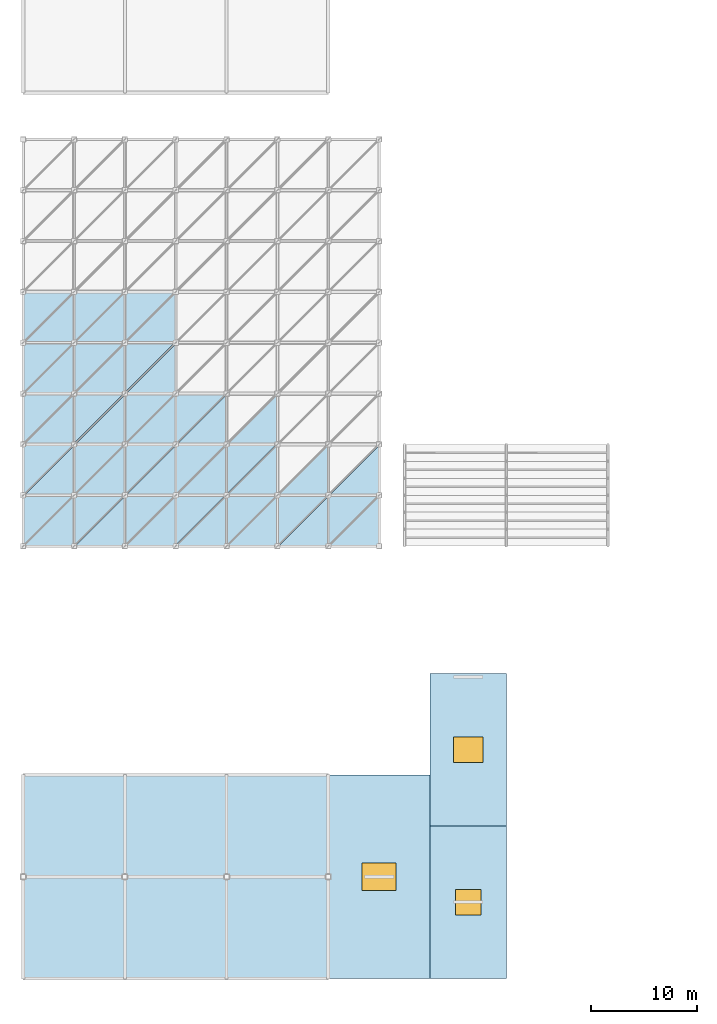
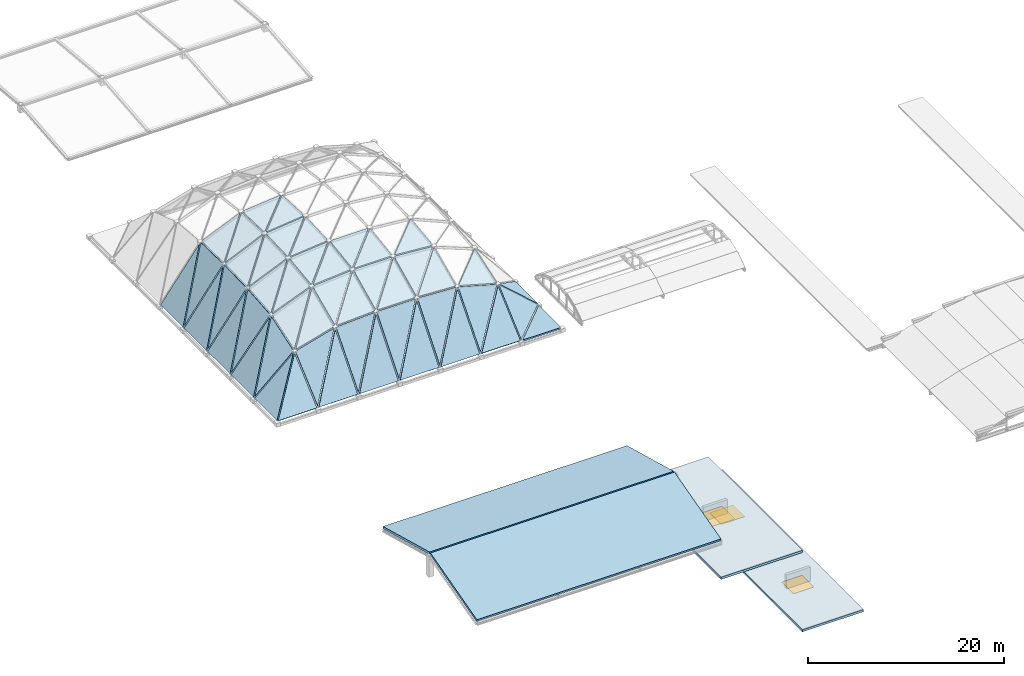
# One storey, part 30 of 70: 52 slabs, 3 windows, 3 openings.
"""IFC4 building model written with IfcOpenShell, lengths in metres."""

from ifc_helpers import new_model, si_unit, direction, frame, origin, origin_2d, place, context, subcontext, project, spatial, polyline, rectangle, outline, extrude, material, layer, layer_set, type_object, element, fill, save


model = new_model("IFC4")

# Units and contexts
model_context = context("Model", 3, precision=1e-05, world=origin(), true_north=direction((0.0, 1.0)))
body_context = subcontext(model_context, "Body", "Model", "MODEL_VIEW")
ifc_project = project(units=[si_unit("LENGTHUNIT", "METRE"), si_unit("AREAUNIT", "SQUARE_METRE"), si_unit("VOLUMEUNIT", "CUBIC_METRE"), si_unit("PLANEANGLEUNIT", "RADIAN"), si_unit("MASSUNIT", "GRAM", prefix="KILO")], contexts=[model_context])

# Site, building, storey
site_placement = place(None, origin())
site = spatial("IfcSite", under=ifc_project, at=site_placement, CompositionType="ELEMENT")
building_placement = place(site_placement, origin())
building = spatial("IfcBuilding", under=site, at=building_placement, Name="Mavantir Sound Aquarium", CompositionType="ELEMENT")
storey_placement = place(building_placement, frame((0.0, 0.0, 27.0)))
storey = spatial("IfcBuildingStorey", under=building, at=storey_placement, Name="RF", CompositionType="ELEMENT", Elevation=27.0)

# Slabs
ifc_material_1 = material(Name="Concrete C40/50", Category="concrete")
ifc_layer_1 = layer(ifc_material_1, 0.199951171875, Name="Concrete C40/50")
ifc_layer_set_1 = layer_set([ifc_layer_1], Name="Concrete C40/50")
slab_type_1 = type_object("IfcSlabType", Name="SLB-RF-GS", PredefinedType="ROOF", material=ifc_layer_set_1)
slab_1_placement = place(storey_placement, frame((0.149658203125, 40.856201171875, -6.920166015625), z_axis=(0.0, -0.663900537319, 0.747820885338), x_axis=(1.0, 0.0, 0.0)))
element("IfcSlab", 1, at=slab_1_placement, inside=storey, type_object=slab_type_1, Name="Gridshell insulated roof panel 1", PredefinedType="ROOF", context=body_context, shape_type="SweptSolid", body=[
    extrude(outline(polyline([(0.0, 0.0), (4.575439453125, 0.0), (4.575439453125, 6.118036286769588), (0.0, 0.0)])), origin(), (0.0, 0.0, -1.0), 0.199951171875),
])
slab_2_placement = place(storey_placement, frame((0.05615234375, 40.94970703125, -6.920166015625), z_axis=(-0.663900537319, 0.0, 0.747820885338), x_axis=(0.598882541436, 0.598882541436, 0.531676032117)))
element("IfcSlab", 2, at=slab_2_placement, inside=storey, type_object=slab_type_1, Name="Gridshell insulated roof panel 2", PredefinedType="ROOF", context=body_context, shape_type="SweptSolid", body=[
    extrude(outline(polyline([(0.0, 0.0), (7.639553661945924, 0.0), (2.7400045963143524, 3.6639851200159366), (0.0, 0.0)])), origin(), (0.0, 0.0, -1.0), 0.199951171875),
])
slab_3_placement = place(storey_placement, frame((0.174560546875, 45.672607421875, -6.79052734375), z_axis=(-0.643635260825, -0.245155637544, 0.725005078881), x_axis=(0.747825932855, 0.0, 0.663894851727)))
element("IfcSlab", 3, at=slab_3_placement, inside=storey, type_object=slab_type_1, Name="Gridshell insulated roof panel 3", PredefinedType="ROOF", context=body_context, shape_type="SweptSolid", body=[
    extrude(outline(polyline([(0.0, 0.0), (6.1085274442593445, -1.1102230246251565e-16), (7.134031039687761, 4.711904972870976), (0.0, 0.0)])), origin(), (0.0, 0.0, -1.0), 0.199951171875),
])
slab_4_placement = place(storey_placement, frame((0.04736328125, 45.736083984375, -6.911865234375), z_axis=(-0.774888427975, 0.0, 0.632098033687), x_axis=(0.534306616361, 0.534306616361, 0.655006014801)))
element("IfcSlab", 4, at=slab_4_placement, inside=storey, type_object=slab_type_1, Name="Gridshell insulated roof panel 4", PredefinedType="ROOF", context=body_context, shape_type="SweptSolid", body=[
    extrude(outline(polyline([(0.0, 0.0), (8.588452860178567, 4.440892098500626e-16), (2.451862099884232, 3.878926953123176), (0.0, 0.0)])), origin(), (0.0, 0.0, -1.0), 0.199951171875),
])
slab_5_placement = place(storey_placement, frame((0.166259765625, 50.474853515625, -6.759521484375), z_axis=(-0.773675453977, -0.055771289456, 0.63112269424), x_axis=(0.632106523544, 0.0, 0.774881502485)))
element("IfcSlab", 5, at=slab_5_placement, inside=storey, type_object=slab_type_1, Name="Gridshell insulated roof panel 5", PredefinedType="ROOF", context=body_context, shape_type="SweptSolid", body=[
    extrude(outline(polyline([(0.0, 0.0), (7.255393624022039, -2.7755575615628914e-17), (7.569432514189172, 4.593330836703523), (0.0, 0.0)])), origin(), (0.0, 0.0, -1.0), 0.199951171875),
])
slab_6_placement = place(storey_placement, frame((0.04541015625, 50.533203125, -6.910400390625), z_axis=(-0.795827682305, 0.0, 0.605523162296), x_axis=(0.517965446207, 0.517965446207, 0.680752225903)))
element("IfcSlab", 6, at=slab_6_placement, inside=storey, type_object=slab_type_1, Name="Gridshell insulated roof panel 6", PredefinedType="ROOF", context=body_context, shape_type="SweptSolid", body=[
    extrude(outline(polyline([(0.0, 0.0), (8.865064086085365, 0.0), (2.3783921172498035, 3.9278301233459367), (0.0, 0.0)])), origin(), (0.0, 0.0, -1.0), 0.199951171875),
])
slab_7_placement = place(storey_placement, frame((0.163330078125, 55.27490234375, -6.754150390625), z_axis=(-0.795773919611, -0.011139469818, 0.605491355082), x_axis=(0.60552892562, 0.0, 0.795823297119)))
element("IfcSlab", 7, at=slab_7_placement, inside=storey, type_object=slab_type_1, Name="Gridshell insulated roof panel 7", PredefinedType="ROOF", context=body_context, shape_type="SweptSolid", body=[
    extrude(outline(polyline([(0.0, 0.0), (7.58231093427856, 0.0), (7.649536242091846, 4.591837638700859), (0.0, 0.0)])), origin(), (0.0, 0.0, -1.0), 0.199951171875),
])
slab_8_placement = place(storey_placement, frame((0.044921875, 55.33251953125, -6.909912109375), z_axis=(-0.799846819927, 0.0, 0.600204185801), x_axis=(0.51462447912, 0.51462447912, 0.685801203688)))
element("IfcSlab", 8, at=slab_8_placement, inside=storey, type_object=slab_type_1, Name="Gridshell insulated roof panel 8", PredefinedType="ROOF", context=body_context, shape_type="SweptSolid", body=[
    extrude(outline(polyline([(0.0, 0.0), (8.924039728398977, 0.0), (2.363427997248404, 3.937706622448857), (0.0, 0.0)])), origin(), (0.0, 0.0, -1.0), 0.199951171875),
])
slab_9_placement = place(storey_placement, frame((0.161865234375, 60.074951171875, -6.755615234375), z_axis=(-0.799801940639, 0.011037911191, 0.600162494884), x_axis=(0.600199058769, 0.0, 0.79985066722)))
element("IfcSlab", 9, at=slab_9_placement, inside=storey, type_object=slab_type_1, Name="Gridshell insulated roof panel 9", PredefinedType="ROOF", context=body_context, shape_type="SweptSolid", body=[
    extrude(outline(polyline([(0.0, 0.0), (7.6524904713139845, 0.0), (7.584924960850579, 4.593297399953), (0.0, 0.0)])), origin(), (0.0, 0.0, -1.0), 0.199951171875),
])
slab_10_placement = place(storey_placement, frame((0.04541015625, 60.133056640625, -6.910400390625), z_axis=(-0.795827682305, 0.0, 0.605523162296), x_axis=(0.517958057609, 0.517985596851, 0.680742515209)))
element("IfcSlab", 10, at=slab_10_placement, inside=storey, type_object=slab_type_1, Name="Gridshell insulated roof panel 10", PredefinedType="ROOF", context=body_context, shape_type="SweptSolid", body=[
    extrude(outline(polyline([(0.0, 0.0), (8.865190544952945, 4.440892098500626e-16), (2.3786111062426367, 3.9279829294997537), (0.0, 0.0)])), origin(), (0.0, 0.0, -1.0), 0.199951171875),
])
slab_11_placement = place(storey_placement, frame((4.938232421875, 40.8486328125, -6.9130859375), z_axis=(0.0, -0.759881491264, 0.650061627259), x_axis=(1.0, 0.0, 0.0)))
element("IfcSlab", 11, at=slab_11_placement, inside=storey, type_object=slab_type_1, Name="Gridshell insulated roof panel 17", PredefinedType="ROOF", context=body_context, shape_type="SweptSolid", body=[
    extrude(outline(polyline([(0.0, 0.0), (4.586669921875, 0.0), (4.586669921875, 7.056121866230198), (0.0, 0.0)])), origin(), (0.0, 0.0, -1.0), 0.199951171875),
])
slab_12_placement = place(storey_placement, frame((4.873291015625, 40.97412109375, -6.794921875), z_axis=(-0.205798816167, -0.649691095726, 0.731811674817), x_axis=(0.545029961997, 0.54500083937, 0.637115708181)))
element("IfcSlab", 12, at=slab_12_placement, inside=storey, type_object=slab_type_1, Name="Gridshell insulated roof panel 18", PredefinedType="ROOF", context=body_context, shape_type="SweptSolid", body=[
    extrude(outline(polyline([(0.0, 0.0), (8.383193797516972, 2.220446049250313e-16), (5.074264180589916, 3.4027318094895325), (0.0, 0.0)])), origin(), (0.0, 0.0, -1.0), 0.199951171875),
])
slab_13_placement = place(storey_placement, frame((4.974365234375, 45.668701171875, -2.628662109375), z_axis=(-0.248304452806, -0.398241184065, 0.883033894045), x_axis=(0.962664813274, 0.0, 0.270696245419)))
element("IfcSlab", 13, at=slab_13_placement, inside=storey, type_object=slab_type_1, Name="Gridshell insulated roof panel 19", PredefinedType="ROOF", context=body_context, shape_type="SweptSolid", body=[
    extrude(outline(polyline([(0.0, 0.0), (4.729557425226053, 5.551115123125783e-17), (5.2854231772317215, 4.963826720283812), (0.0, 0.0)])), origin(), (0.0, 0.0, -1.0), 0.199951171875),
])
slab_14_placement = place(storey_placement, frame((4.870361328125, 45.7763671875, -2.62158203125), z_axis=(-0.349753253219, -0.300108092208, 0.887472700907), x_axis=(0.627924986775, 0.627924986775, 0.459804765055)))
element("IfcSlab", 14, at=slab_14_placement, inside=storey, type_object=slab_type_1, Name="Gridshell insulated roof panel 20", PredefinedType="ROOF", context=body_context, shape_type="SweptSolid", body=[
    extrude(outline(polyline([(0.0, 0.0), (7.249276663607153, 1.1102230246251565e-16), (3.5660962944559387, 3.220736551441869), (0.0, 0.0)])), origin(), (0.0, 0.0, -1.0), 0.199951171875),
])
slab_15_placement = place(storey_placement, frame((4.97900390625, 50.474609375, -1.005859375), z_axis=(-0.364192034676, -0.115266332783, 0.924163315873), x_axis=(0.930364546663, 0.0, 0.366635800643)))
element("IfcSlab", 15, at=slab_15_placement, inside=storey, type_object=slab_type_1, Name="Gridshell insulated roof panel 21", PredefinedType="ROOF", context=body_context, shape_type="SweptSolid", body=[
    extrude(outline(polyline([(0.0, 0.0), (4.891658228970367, 2.7755575615628914e-17), (5.099770591395843, 4.58156323852821), (0.0, 0.0)])), origin(), (0.0, 0.0, -1.0), 0.199951171875),
])
slab_16_placement = place(storey_placement, frame((4.868896484375, 50.572265625, -1.040771484375), z_axis=(-0.39406291251, -0.080854817105, 0.915520026834), x_axis=(0.663856070571, 0.663856070571, 0.344369329546)))
element("IfcSlab", 16, at=slab_16_placement, inside=storey, type_object=slab_type_1, Name="Gridshell insulated roof panel 22", PredefinedType="ROOF", context=body_context, shape_type="SweptSolid", body=[
    extrude(outline(polyline([(0.0, 0.0), (6.858381985885398, 3.885780586188048e-16), (3.160993199668316, 3.301426881100507), (0.0, 0.0)])), origin(), (0.0, 0.0, -1.0), 0.199951171875),
])
slab_17_placement = place(storey_placement, frame((4.9775390625, 55.27490234375, -0.582763671875), z_axis=(-0.395177796475, -0.030616269452, 0.918094305188), x_axis=(0.918524898508, 0.0, 0.395363137913)))
element("IfcSlab", 17, at=slab_17_placement, inside=storey, type_object=slab_type_1, Name="Gridshell insulated roof panel 23", PredefinedType="ROOF", context=body_context, shape_type="SweptSolid", body=[
    extrude(outline(polyline([(0.0, 0.0), (4.957368933897189, -6.938893903907228e-18), (5.0174069885315, 4.555846663101397), (0.0, 0.0)])), origin(), (0.0, 0.0, -1.0), 0.199951171875),
])
slab_18_placement = place(storey_placement, frame((4.868408203125, 55.370361328125, -0.6279296875), z_axis=(-0.406753391743, -0.016793020386, 0.913383639426), x_axis=(0.67190885314, 0.67190885314, 0.311571799341)))
element("IfcSlab", 18, at=slab_18_placement, inside=storey, type_object=slab_type_1, Name="Gridshell insulated roof panel 24", PredefinedType="ROOF", context=body_context, shape_type="SweptSolid", body=[
    extrude(outline(polyline([(0.0, 0.0), (6.778728213977783, -2.220446049250313e-16), (3.0864259500365216, 3.350547045551007), (0.0, 0.0)])), origin(), (0.0, 0.0, -1.0), 0.199951171875),
])
slab_19_placement = place(storey_placement, frame((4.975830078125, 60.074951171875, -0.49755859375), z_axis=(-0.406631822297, 0.030387287803, 0.913086619021), x_axis=(0.913508477473, 0.0, 0.406819691736)))
element("IfcSlab", 19, at=slab_19_placement, inside=storey, type_object=slab_type_1, Name="Gridshell insulated roof panel 25", PredefinedType="ROOF", context=body_context, shape_type="SweptSolid", body=[
    extrude(outline(polyline([(0.0, 0.0), (4.986997028315523, 0.0), (4.925318554543954, 4.557768841334873), (0.0, 0.0)])), origin(), (0.0, 0.0, -1.0), 0.199951171875),
])
slab_20_placement = place(storey_placement, frame((4.868896484375, 60.17041015625, -0.546875), z_axis=(-0.395300453174, 0.016885187477, 0.918396669291), x_axis=(0.678879248748, 0.678879248748, 0.279724741913)))
element("IfcSlab", 20, at=slab_20_placement, inside=storey, type_object=slab_type_1, Name="Gridshell insulated roof panel 26", PredefinedType="ROOF", context=body_context, shape_type="SweptSolid", body=[
    extrude(outline(polyline([(0.0, 0.0), (6.709127592865286, 1.1102230246251565e-16), (3.068658612834405, 3.366827136546612), (0.0, 0.0)])), origin(), (0.0, 0.0, -1.0), 0.199951171875),
])
slab_21_placement = place(storey_placement, frame((9.736328125, 40.847412109375, -6.911865234375), z_axis=(0.0, -0.773810134526, 0.633417615563), x_axis=(1.0, 0.0, 0.0)))
element("IfcSlab", 21, at=slab_21_placement, inside=storey, type_object=slab_type_1, Name="Gridshell insulated roof panel 33", PredefinedType="ROOF", context=body_context, shape_type="SweptSolid", body=[
    extrude(outline(polyline([(0.0, 0.0), (4.588623046875, 0.0), (4.588623046875, 7.244615676537677), (0.0, 0.0)])), origin(), (0.0, 0.0, -1.0), 0.199951171875),
])
slab_22_placement = place(storey_placement, frame((9.675048828125, 40.966064453125, -6.77197265625), z_axis=(-0.034280886967, -0.759437530243, 0.649676425959), x_axis=(0.535089695607, 0.535089695607, 0.653726269405)))
element("IfcSlab", 22, at=slab_22_placement, inside=storey, type_object=slab_type_1, Name="Gridshell insulated roof panel 34", PredefinedType="ROOF", context=body_context, shape_type="SweptSolid", body=[
    extrude(outline(polyline([(0.0, 0.0), (8.569040136204109, 0.0), (5.95737941692326, 3.776489174481292), (0.0, 0.0)])), origin(), (0.0, 0.0, -1.0), 0.199951171875),
])
slab_23_placement = place(storey_placement, frame((9.769775390625, 45.667724609375, -1.317626953125), z_axis=(-0.047554867311, -0.431541304456, 0.900838851928), x_axis=(0.998609537773, 0.0, 0.052716136701)))
element("IfcSlab", 23, at=slab_23_placement, inside=storey, type_object=slab_type_1, Name="Gridshell insulated roof panel 35", PredefinedType="ROOF", context=body_context, shape_type="SweptSolid", body=[
    extrude(outline(polyline([(0.0, 0.0), (4.561762880849117, 0.0), (4.676796286570488, 5.049562384716769), (0.0, 0.0)])), origin(), (0.0, 0.0, -1.0), 0.199951171875),
])
slab_24_placement = place(storey_placement, frame((9.6748046875, 45.77783203125, -1.272705078125), z_axis=(-0.073452801717, -0.410009932344, 0.90911855184), x_axis=(0.661859373, 0.661859373, 0.351972073814)))
element("IfcSlab", 24, at=slab_24_placement, inside=storey, type_object=slab_type_1, Name="Gridshell insulated roof panel 36", PredefinedType="ROOF", context=body_context, shape_type="SweptSolid", body=[
    extrude(outline(polyline([(0.0, 0.0), (6.880178967417313, -4.440892098500626e-16), (3.7367651636021306, 3.3152070869259136), (0.0, 0.0)])), origin(), (0.0, 0.0, -1.0), 0.199951171875),
])
slab_25_placement = place(storey_placement, frame((9.7802734375, 50.474365234375, 0.8310546875), z_axis=(-0.079739825991, -0.139597713985, 0.98699242064), x_axis=(0.996752319897, 0.0, 0.080528335256)))
element("IfcSlab", 25, at=slab_25_placement, inside=storey, type_object=slab_type_1, Name="Gridshell insulated roof panel 37", PredefinedType="ROOF", context=body_context, shape_type="SweptSolid", body=[
    extrude(outline(polyline([(0.0, 0.0), (4.559730420760614, 0.0), (4.611495827676887, 4.589864448726517), (0.0, 0.0)])), origin(), (0.0, 0.0, -1.0), 0.199951171875),
])
slab_26_placement = place(storey_placement, frame((9.674560546875, 50.580810546875, 0.835693359375), z_axis=(-0.096350582351, -0.123150724146, 0.987699582071), x_axis=(0.698553330841, 0.698515806489, 0.155238242893)))
element("IfcSlab", 26, at=slab_26_placement, inside=storey, type_object=slab_type_1, Name="Gridshell insulated roof panel 38", PredefinedType="ROOF", context=body_context, shape_type="SweptSolid", body=[
    extrude(outline(polyline([(0.0, 0.0), (6.506191688371567, 1.0408340855860843e-17), (3.262495043834638, 3.2142362177465693), (0.0, 0.0)])), origin(), (0.0, 0.0, -1.0), 0.199951171875),
])
slab_27_placement = place(storey_placement, frame((9.781005859375, 55.27490234375, 1.425537109375), z_axis=(-0.096994110165, -0.04668108606, 0.994189629194), x_axis=(0.995274633926, 0.0, 0.097099964285)))
element("IfcSlab", 27, at=slab_27_placement, inside=storey, type_object=slab_type_1, Name="Gridshell insulated roof panel 39", PredefinedType="ROOF", context=body_context, shape_type="SweptSolid", body=[
    extrude(outline(polyline([(0.0, 0.0), (4.5660096608969125, 3.469446951953614e-18), (4.58672874507305, 4.54939314251768), (0.0, 0.0)])), origin(), (0.0, 0.0, -1.0), 0.199951171875),
])
slab_28_placement = place(storey_placement, frame((9.674560546875, 55.38037109375, 1.418701171875), z_axis=(-0.110458923214, -0.033084315166, 0.993329881949), x_axis=(0.703443934374, 0.703443934374, 0.101652655572)))
element("IfcSlab", 28, at=slab_28_placement, inside=storey, type_object=slab_type_1, Name="Gridshell insulated roof panel 40", PredefinedType="ROOF", context=body_context, shape_type="SweptSolid", body=[
    extrude(outline(polyline([(0.0, 0.0), (6.460611162166237, -7.424616477180734e-16), (3.212312862506595, 3.218393047492837), (0.0, 0.0)])), origin(), (0.0, 0.0, -1.0), 0.199951171875),
])
slab_29_placement = place(storey_placement, frame((9.7802734375, 60.074951171875, 1.580810546875), z_axis=(-0.11038760353, 0.046608099268, 0.992795176292), x_axis=(0.993875268222, 0.0, 0.110507697546)))
element("IfcSlab", 29, at=slab_29_placement, inside=storey, type_object=slab_type_1, Name="Gridshell insulated roof panel 41", PredefinedType="ROOF", context=body_context, shape_type="SweptSolid", body=[
    extrude(outline(polyline([(0.0, 0.0), (4.573175488868814, 3.469446951953614e-18), (4.549595477234181, 4.550110839339653), (0.0, 0.0)])), origin(), (0.0, 0.0, -1.0), 0.199951171875),
])
slab_30_placement = place(storey_placement, frame((9.674560546875, 60.18017578125, 1.565673828125), z_axis=(-0.097089094775, 0.033182348847, 0.994722393133), x_axis=(0.706378258544, 0.706378258544, 0.045381843426)))
element("IfcSlab", 30, at=slab_30_placement, inside=storey, type_object=slab_type_1, Name="Gridshell insulated roof panel 42", PredefinedType="ROOF", context=body_context, shape_type="SweptSolid", body=[
    extrude(outline(polyline([(0.0, 0.0), (6.434119142296642, 1.5959455978986625e-16), (3.203553597726371, 3.2274673028806613), (0.0, 0.0)])), origin(), (0.0, 0.0, -1.0), 0.199951171875),
])
slab_31_placement = place(storey_placement, frame((14.536376953125, 40.847412109375, -6.911865234375), z_axis=(0.0, -0.773810134526, 0.633417615563), x_axis=(1.0, 0.0, 0.0)))
element("IfcSlab", 31, at=slab_31_placement, inside=storey, type_object=slab_type_1, Name="Gridshell insulated roof panel 49", PredefinedType="ROOF", context=body_context, shape_type="SweptSolid", body=[
    extrude(outline(polyline([(0.0, 0.0), (4.588623046875, 0.0), (4.588623046875, 7.244615676537677), (0.0, 0.0)])), origin(), (0.0, 0.0, -1.0), 0.199951171875),
])
slab_32_placement = place(storey_placement, frame((14.47509765625, 40.9638671875, -6.77001953125), z_axis=(0.0, -0.773840172082, 0.63338091862), x_axis=(0.535080772457, 0.535080772457, 0.653740876719)))
element("IfcSlab", 32, at=slab_32_placement, inside=storey, type_object=slab_type_1, Name="Gridshell insulated roof panel 50", PredefinedType="ROOF", context=body_context, shape_type="SweptSolid", body=[
    extrude(outline(polyline([(0.0, 0.0), (8.57557079803773, -4.440892098500626e-16), (6.120286833601176, 3.8764728968861806), (0.0, 0.0)])), origin(), (0.0, 0.0, -1.0), 0.199951171875),
])
slab_33_placement = place(storey_placement, frame((14.568603515625, 45.667724609375, -1.0732421875), z_axis=(0.0, -0.432014557692, 0.901866632015), x_axis=(1.0, 0.0, 0.0)))
element("IfcSlab", 33, at=slab_33_placement, inside=storey, type_object=slab_type_1, Name="Gridshell insulated roof panel 51", PredefinedType="ROOF", context=body_context, shape_type="SweptSolid", body=[
    extrude(outline(polyline([(0.0, 0.0), (4.556396484375, 0.0), (4.556396484375, 5.052184350357305), (0.0, 0.0)])), origin(), (0.0, 0.0, -1.0), 0.199951171875),
])
slab_34_placement = place(storey_placement, frame((14.47509765625, 45.77587890625, -1.021484375), z_axis=(0.0, -0.432053861253, 0.901847803665), x_axis=(0.669702714997, 0.6697386009, 0.320855855471)))
element("IfcSlab", 34, at=slab_34_placement, inside=storey, type_object=slab_type_1, Name="Gridshell insulated roof panel 52", PredefinedType="ROOF", context=body_context, shape_type="SweptSolid", body=[
    extrude(outline(polyline([(0.0, 0.0), (6.803246039950865, -1.1102230246251565e-16), (3.7519784453999927, 3.3835322144029245), (0.0, 0.0)])), origin(), (0.0, 0.0, -1.0), 0.199951171875),
])
slab_35_placement = place(storey_placement, frame((14.579833984375, 50.474365234375, 1.2041015625), z_axis=(0.0, -0.14008842024, 0.990138997573), x_axis=(1.0, 0.0, 0.0)))
element("IfcSlab", 35, at=slab_35_placement, inside=storey, type_object=slab_type_1, Name="Gridshell insulated roof panel 53", PredefinedType="ROOF", context=body_context, shape_type="SweptSolid", body=[
    extrude(outline(polyline([(0.0, 0.0), (4.545166015625, 0.0), (4.545166015625, 4.590432279474312), (0.0, 0.0)])), origin(), (0.0, 0.0, -1.0), 0.199951171875),
])
slab_36_placement = place(storey_placement, frame((14.47509765625, 50.58056640625, 1.21923828125), z_axis=(0.0, -0.14008842024, 0.990138997573), x_axis=(0.703594478473, 0.703594478473, 0.099547072906)))
element("IfcSlab", 36, at=slab_36_placement, inside=storey, type_object=slab_type_1, Name="Gridshell insulated roof panel 54", PredefinedType="ROOF", context=body_context, shape_type="SweptSolid", body=[
    extrude(outline(polyline([(0.0, 0.0), (6.459922803101611, -2.0816681711721685e-16), (3.2619690907641146, 3.22980280564298), (0.0, 0.0)])), origin(), (0.0, 0.0, -1.0), 0.199951171875),
])
slab_37_placement = place(storey_placement, frame((19.338134765625, 40.8486328125, -6.9130859375), z_axis=(0.0, -0.759881491264, 0.650061627259), x_axis=(1.0, 0.0, 0.0)))
element("IfcSlab", 37, at=slab_37_placement, inside=storey, type_object=slab_type_1, Name="Gridshell insulated roof panel 65", PredefinedType="ROOF", context=body_context, shape_type="SweptSolid", body=[
    extrude(outline(polyline([(0.0, 0.0), (4.5869140625, 0.0), (4.5869140625, 7.056121866230198), (0.0, 0.0)])), origin(), (0.0, 0.0, -1.0), 0.199951171875),
])
slab_38_placement = place(storey_placement, frame((19.27490234375, 40.962158203125, -6.77587890625), z_axis=(0.033399232546, -0.773400978639, 0.633036663635), x_axis=(0.545018282822, 0.545018282822, 0.637110777478)))
element("IfcSlab", 38, at=slab_38_placement, inside=storey, type_object=slab_type_1, Name="Gridshell insulated roof panel 66", PredefinedType="ROOF", context=body_context, shape_type="SweptSolid", body=[
    extrude(outline(polyline([(0.0, 0.0), (8.422345040391331, 0.0), (6.074830425556349, 3.9520852819001977), (0.0, 0.0)])), origin(), (0.0, 0.0, -1.0), 0.199951171875),
])
slab_39_placement = place(storey_placement, frame((19.36865234375, 45.66845703125, -1.083740234375), z_axis=(0.048056003268, -0.41064708579, 0.910527095414), x_axis=(0.998610132497, 0.0, -0.052704869555)))
element("IfcSlab", 39, at=slab_39_placement, inside=storey, type_object=slab_type_1, Name="Gridshell insulated roof panel 67", PredefinedType="ROOF", context=body_context, shape_type="SweptSolid", body=[
    extrude(outline(polyline([(0.0, 0.0), (4.562738085766272, 0.0), (4.454433181702212, 4.997175504044489), (0.0, 0.0)])), origin(), (0.0, 0.0, -1.0), 0.199951171875),
])
slab_40_placement = place(storey_placement, frame((19.27490234375, 45.77392578125, -1.0283203125), z_axis=(0.072696223265, -0.430878078781, 0.899477259495), x_axis=(0.680638827239, 0.680638827239, 0.271037956217)))
element("IfcSlab", 40, at=slab_40_placement, inside=storey, type_object=slab_type_1, Name="Gridshell insulated roof panel 68", PredefinedType="ROOF", context=body_context, shape_type="SweptSolid", body=[
    extrude(outline(polyline([(0.0, 0.0), (6.697163645317497, 1.1102230246251565e-16), (3.6944265194766404, 3.449325371506145), (0.0, 0.0)])), origin(), (0.0, 0.0, -1.0), 0.199951171875),
])
slab_41_placement = place(storey_placement, frame((19.37939453125, 50.474365234375, 1.1884765625), z_axis=(0.079896820937, -0.123298219013, 0.989148142187), x_axis=(0.996753708312, 0.0, -0.080511148083)))
element("IfcSlab", 41, at=slab_41_placement, inside=storey, type_object=slab_type_1, Name="Gridshell insulated roof panel 69", PredefinedType="ROOF", context=body_context, shape_type="SweptSolid", body=[
    extrude(outline(polyline([(0.0, 0.0), (4.5607038123760235, 0.0), (4.515082138865237, 4.580851878435547), (0.0, 0.0)])), origin(), (0.0, 0.0, -1.0), 0.199951171875),
])
slab_42_placement = place(storey_placement, frame((24.149658203125, 40.856201171875, -6.920166015625), z_axis=(0.0, -0.663900537319, 0.747820885338), x_axis=(1.0, 0.0, 0.0)))
element("IfcSlab", 42, at=slab_42_placement, inside=storey, type_object=slab_type_1, Name="Gridshell insulated roof panel 81", PredefinedType="ROOF", context=body_context, shape_type="SweptSolid", body=[
    extrude(outline(polyline([(0.0, 0.0), (4.575439453125, 0.0), (4.575439453125, 6.118036286769588), (0.0, 0.0)])), origin(), (0.0, 0.0, -1.0), 0.199951171875),
])
slab_43_placement = place(storey_placement, frame((24.07373046875, 40.953857421875, -6.810791015625), z_axis=(0.179815401515, -0.74748725749, 0.63947573939), x_axis=(0.598895069153, 0.598895069153, 0.531647808506)))
element("IfcSlab", 43, at=slab_43_placement, inside=storey, type_object=slab_type_1, Name="Gridshell insulated roof panel 82", PredefinedType="ROOF", context=body_context, shape_type="SweptSolid", body=[
    extrude(outline(polyline([(0.0, 0.0), (7.674859559920774, 4.440892098500626e-16), (5.609221383967796, 4.304749054790762), (0.0, 0.0)])), origin(), (0.0, 0.0, -1.0), 0.199951171875),
])
slab_44_placement = place(storey_placement, frame((24.16845703125, 45.67138671875, -1.38232421875), z_axis=(0.257398713014, -0.30955491767, 0.915380606898), x_axis=(0.962665214505, 0.0, -0.270694818537)))
element("IfcSlab", 44, at=slab_44_placement, inside=storey, type_object=slab_type_1, Name="Gridshell insulated roof panel 83", PredefinedType="ROOF", context=body_context, shape_type="SweptSolid", body=[
    extrude(outline(polyline([(0.0, 0.0), (4.7358956806145045, 5.551115123125783e-17), (4.318552472835611, 4.794584513243075), (0.0, 0.0)])), origin(), (0.0, 0.0, -1.0), 0.199951171875),
])
slab_45_placement = place(storey_placement, frame((28.98095703125, 40.875, -6.969970703125), z_axis=(0.0, 0.0, 1.0), x_axis=(1.0, 0.0, 0.0)))
element("IfcSlab", 45, at=slab_45_placement, inside=storey, type_object=slab_type_1, Name="Gridshell insulated roof panel 97", PredefinedType="ROOF", context=body_context, shape_type="SweptSolid", body=[
    extrude(outline(polyline([(0.0, 0.0), (4.5439453125, 0.0), (4.5439453125, 4.5439453125), (0.0, 0.0)])), origin(), (0.0, 0.0, -1.0), 0.199951171875),
])
slab_46_placement = place(storey_placement, frame((28.862548828125, 40.928466796875, -6.911376953125), z_axis=(0.553106138032, -0.553076840604, 0.623040615417), x_axis=(0.707088053106, 0.707125508771, 0.0)))
element("IfcSlab", 46, at=slab_46_placement, inside=storey, type_object=slab_type_1, Name="Gridshell insulated roof panel 98", PredefinedType="ROOF", context=body_context, shape_type="SweptSolid", body=[
    extrude(outline(polyline([(0.0, 0.0), (6.5181227408750955, 4.440892098500626e-16), (3.2592340039289875, 5.230897128088785), (0.0, 0.0)])), origin(), (0.0, 0.0, -1.0), 0.199951171875),
])
slab_47_placement = place(storey_placement, frame((28.96875, 45.675048828125, -2.8583984375), z_axis=(0.663900537319, 0.0, 0.747820885338), x_axis=(0.747820885338, 0.0, -0.663900537319)))
element("IfcSlab", 47, at=slab_47_placement, inside=storey, type_object=slab_type_1, Name="Gridshell insulated roof panel 99", PredefinedType="ROOF", context=body_context, shape_type="SweptSolid", body=[
    extrude(outline(polyline([(0.0, 0.0), (6.118036286769588, 0.0), (6.118036286769588, 4.5751953125), (0.0, 0.0)])), origin(), (0.0, 0.0, -1.0), 0.199951171875),
])
ifc_layer_2 = layer(ifc_material_1, 0.280029296875, Name="Concrete C40/50")
ifc_layer_set_2 = layer_set([ifc_layer_2], Name="Concrete C40/50")
slab_type_2 = type_object("IfcSlabType", Name="SLB-RF-PD", PredefinedType="ROOF", material=ifc_layer_set_2)
for number, where, z_axis, x_axis, name in (
    (48, (0.0, 0.0, -6.919921875), (0.0, -0.261397680221, 0.96523119136), (1.0, 0.0, 0.0), "Pavilion sloped roof deck RF-V3-S"),
    (49, (0.0, 9.68994140625, -4.344482421875), (0.0, 0.261397680221, 0.96523119136), (1.0, 0.0, 0.0), "Pavilion sloped roof deck RF-V3-N"),
):
    element("IfcSlab", number, at=place(storey_placement, frame(where, z_axis=z_axis, x_axis=x_axis)), inside=storey, type_object=slab_type_2, Name=name, PredefinedType="ROOF", context=body_context, shape_type="SweptSolid", body=[
        extrude(outline(polyline([(0.0, 0.0), (28.800048828125, 0.0), (28.800048828125, 9.852571954520082), (0.0, 9.852571954520082), (0.0, 0.0)])), origin(), (0.0, 0.0, -1.0), 0.280029296875),
    ])

# Slab, opening, window
slab_48_placement = place(storey_placement, frame((0.0, 0.0, -21.8798828125)))
slab_48 = element("IfcSlab", 50, at=slab_48_placement, inside=storey, type_object=slab_type_2, Name="Flat insulated roof deck RF-FLAT-V3L0S", PredefinedType="ROOF", context=body_context, shape_type="SweptSolid", body=[
    extrude(outline(polyline([(38.39990234375, 0.0), (45.60009765625, 0.0), (45.60009765625, 14.39990234375), (38.39990234375, 14.39990234375), (38.39990234375, 0.0)])), origin(), (0.0, 0.0, 1.0), 0.27978515625),
])
opening_1_placement = place(slab_48_placement, frame((42.0, 7.199951171875, -0.010009765625)))
opening_1 = element("IfcOpeningElement", 51, at=opening_1_placement, cuts=slab_48, Name="Opening SK-01", PredefinedType="OPENING", context=body_context, shape_type="SweptSolid", body=[
    extrude(rectangle(XDim=2.39990234375, YDim=2.39990234375, at=origin_2d()), origin(), (0.0, 0.0, 1.0), 0.2998046875),
])
ifc_material_2 = material(Name="Laminated Hurricane-Impact Low-E Skylight Glass", Category="glass")
window_type_1 = type_object("IfcWindowType", Name="SKY-01", PartitioningType="SINGLE_PANEL", PredefinedType="SKYLIGHT", material=ifc_material_2)
window_1_placement = place(slab_48_placement, frame((42.0, 7.199951171875, 0.229736328125)))
window_1 = element("IfcWindow", 52, at=window_1_placement, inside=storey, type_object=window_type_1, Name="Hurricane-rated roof skylight 1", OverallHeight=2.39990234375, OverallWidth=2.39990234375, PartitioningType="SINGLE_PANEL", PredefinedType="SKYLIGHT", context=body_context, shape_type="SweptSolid", body=[
    extrude(rectangle(XDim=2.39990234375, YDim=2.39990234375, at=origin_2d()), origin(), (0.0, 0.0, 1.0), 0.050048828125),
])
fill(opening_1, window_1)

slab_49_placement = place(storey_placement, frame((0.0, 0.0, -21.8798828125)))
slab_49 = element("IfcSlab", 53, at=slab_49_placement, inside=storey, type_object=slab_type_2, Name="Flat insulated roof deck RF-FLAT-V3L0N", PredefinedType="ROOF", context=body_context, shape_type="SweptSolid", body=[
    extrude(outline(polyline([(38.39990234375, 14.39990234375), (45.60009765625, 14.39990234375), (45.60009765625, 28.800048828125), (38.39990234375, 28.800048828125), (38.39990234375, 14.39990234375)])), origin(), (0.0, 0.0, 1.0), 0.27978515625),
])
opening_2_placement = place(slab_49_placement, frame((42.0, 21.60009765625, -0.010009765625)))
opening_2 = element("IfcOpeningElement", 54, at=opening_2_placement, cuts=slab_49, Name="Opening SK-02", PredefinedType="OPENING", context=body_context, shape_type="SweptSolid", body=[
    extrude(rectangle(XDim=2.800048828125, YDim=2.39990234375, at=origin_2d()), origin(), (0.0, 0.0, 1.0), 0.2998046875),
])
window_type_2 = type_object("IfcWindowType", Name="SKY-02", PartitioningType="SINGLE_PANEL", PredefinedType="SKYLIGHT", material=ifc_material_2)
window_2_placement = place(slab_49_placement, frame((42.0, 21.60009765625, 0.229736328125)))
window_2 = element("IfcWindow", 55, at=window_2_placement, inside=storey, type_object=window_type_2, Name="Hurricane-rated roof skylight 2", OverallHeight=2.39990234375, OverallWidth=2.800048828125, PartitioningType="SINGLE_PANEL", PredefinedType="SKYLIGHT", context=body_context, shape_type="SweptSolid", body=[
    extrude(rectangle(XDim=2.800048828125, YDim=2.39990234375, at=origin_2d()), origin(), (0.0, 0.0, 1.0), 0.050048828125),
])
fill(opening_2, window_2)

slab_50_placement = place(storey_placement, frame((0.0, 0.0, -11.97998046875)))
slab_50 = element("IfcSlab", 56, at=slab_50_placement, inside=storey, type_object=slab_type_2, Name="Flat insulated roof deck RF-FLAT-V3L2", PredefinedType="ROOF", context=body_context, shape_type="SweptSolid", body=[
    extrude(outline(polyline([(28.800048828125, 0.0), (38.39990234375, 0.0), (38.39990234375, 19.199951171875), (28.800048828125, 19.199951171875), (28.800048828125, 0.0)])), origin(), (0.0, 0.0, 1.0), 0.280029296875),
])
opening_3_placement = place(slab_50_placement, frame((33.60009765625, 9.60009765625, -0.010009765625)))
opening_3 = element("IfcOpeningElement", 57, at=opening_3_placement, cuts=slab_50, Name="Opening SK-03", PredefinedType="OPENING", context=body_context, shape_type="SweptSolid", body=[
    extrude(rectangle(XDim=3.199951171875, YDim=2.60009765625, at=origin_2d()), origin(), (0.0, 0.0, 1.0), 0.300048828125),
])
window_type_3 = type_object("IfcWindowType", Name="SKY-03", PartitioningType="SINGLE_PANEL", PredefinedType="SKYLIGHT", material=ifc_material_2)
window_3_placement = place(slab_50_placement, frame((33.60009765625, 9.60009765625, 0.22998046875)))
window_3 = element("IfcWindow", 58, at=window_3_placement, inside=storey, type_object=window_type_3, Name="Hurricane-rated roof skylight 3", OverallHeight=2.60009765625, OverallWidth=3.199951171875, PartitioningType="SINGLE_PANEL", PredefinedType="SKYLIGHT", context=body_context, shape_type="SweptSolid", body=[
    extrude(rectangle(XDim=3.199951171875, YDim=2.60009765625, at=origin_2d()), origin(), (0.0, 0.0, 1.0), 0.050048828125),
])
fill(opening_3, window_3)

save(model, "model.ifc")
